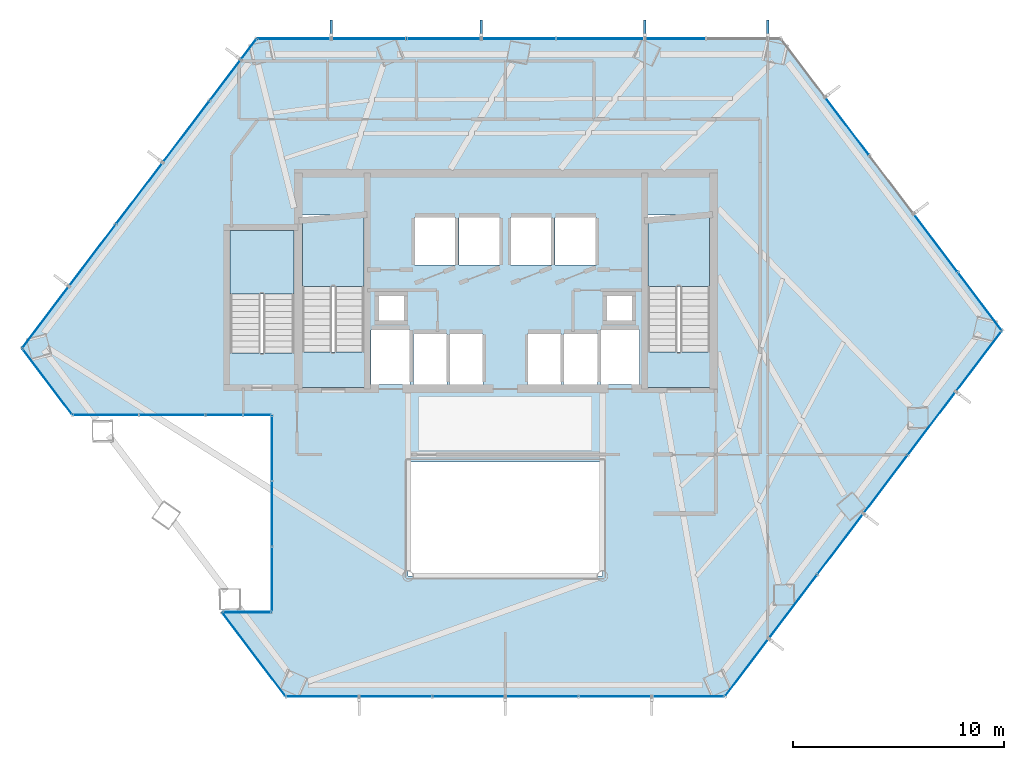
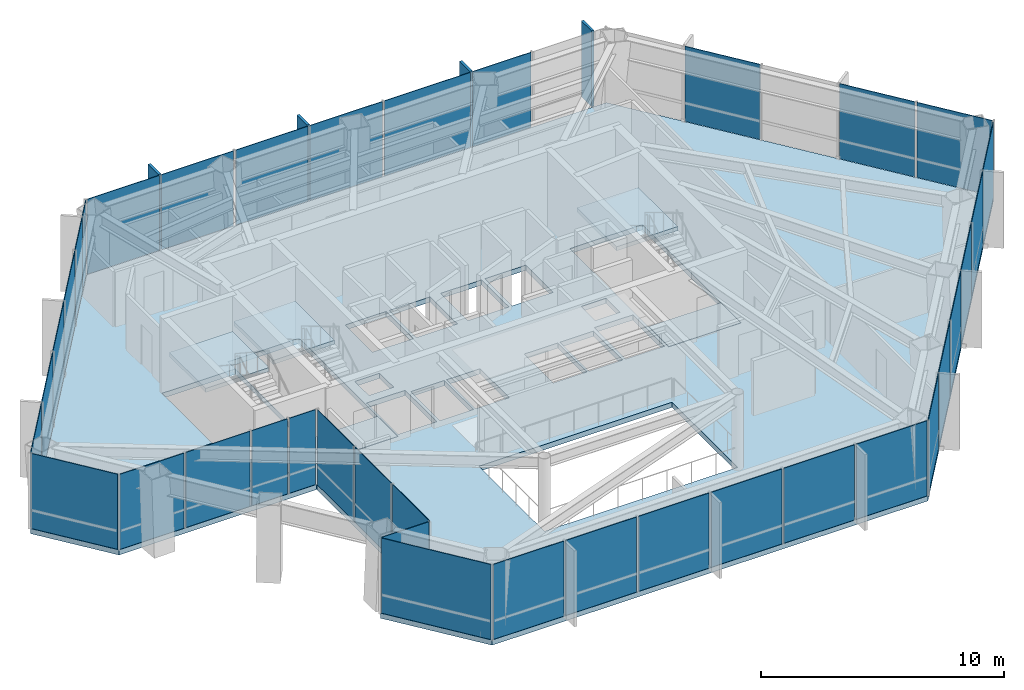
# One storey, part 20 of 24: 37 plates, 7 slabs, 4 members, 13 elements without a shape of their own.
"""IFC4 building model written with IfcOpenShell, lengths in metres."""

from ifc_helpers import new_model, si_unit, direction, frame, origin, origin_2d, place, context, subcontext, project, spatial, polyline, rectangle, outline, extrude, material, layer, layer_set, material_profile, profile_set, type_object, element, aggregate, save


model = new_model("IFC4")

# Units and contexts
model_context = context("Model", 3, precision=1e-05, world=origin(), true_north=direction((0.0, 1.0)))
body_context = subcontext(model_context, "Body", "Model", "MODEL_VIEW")
ifc_project = project(units=[si_unit("LENGTHUNIT", "METRE"), si_unit("AREAUNIT", "SQUARE_METRE"), si_unit("VOLUMEUNIT", "CUBIC_METRE"), si_unit("PLANEANGLEUNIT", "RADIAN"), si_unit("MASSUNIT", "GRAM", prefix="KILO")], contexts=[model_context])

# Site, building, storey
site_placement = place(None, origin())
site = spatial("IfcSite", under=ifc_project, at=site_placement, CompositionType="ELEMENT")
building_placement = place(site_placement, origin())
building = spatial("IfcBuilding", under=site, at=building_placement, Name="Zarrinselat Tower", CompositionType="ELEMENT")
storey_placement = place(building_placement, frame((0.0, 0.0, 68.340087890625)))
storey = spatial("IfcBuildingStorey", under=building, at=storey_placement, Name="L16", CompositionType="ELEMENT", Elevation=68.340087890625)

# Curtain wall, members
ifc_material_1 = material(Name="Extruded Aluminium Alloy EN AW-6063 T6", Category="aluminium")
ifc_layer_1 = layer(ifc_material_1, 0.18505859375)
ifc_layer_set_1 = layer_set([ifc_layer_1], Name="Extruded Aluminium Alloy EN AW-6063 T6")
curtain_wall_type_1 = type_object("IfcCurtainWallType", Name="CWS-OFF", PredefinedType="NOTDEFINED", material=ifc_layer_set_1)
curtain_wall_1_placement = place(storey_placement, origin())
curtain_wall_1 = element("IfcCurtainWall", 1, at=curtain_wall_1_placement, inside=storey, type_object=curtain_wall_type_1, Name="L16 Unitised Curtain Wall CW-L16-E02", PredefinedType="NOTDEFINED")
ifc_material_2 = material(Name="Honed Cream Travertine Stone", Category="masonry")
ifc_material_profile = material_profile(ifc_material_2, rectangle(XDim=0.1201171875, YDim=0.85009765625, at=origin_2d()), Name="FIN 850x120")
ifc_profile_set = profile_set([ifc_material_profile], Name="Honed Cream Travertine Stone")
member_type = type_object("IfcMemberType", Name="MEM-STONE-FIN", PredefinedType="USERDEFINED", material=ifc_profile_set)
member_1_placement = place(storey_placement, frame((30.177978515625, 50.27099609375, 0.0), z_axis=(0.0, 0.0, 1.0), x_axis=(1.0, 0.0, 0.0)))
member_1 = element("IfcMember", 2, at=member_1_placement, type_object=member_type, Name="L16 Stone Shading Fin CW-L16-E02-01", ObjectType="FIN", PredefinedType="USERDEFINED", context=body_context, shape_type="SweptSolid", body=[
    extrude(rectangle(XDim=0.1201171875, YDim=0.85009765625, at=origin_2d()), origin(), (0.0, 0.0, 1.0), 3.81982421875),
])
member_2_placement = place(storey_placement, frame((37.260498046875, 50.27099609375, 0.0), z_axis=(0.0, 0.0, 1.0), x_axis=(1.0, 0.0, 0.0)))
member_2 = element("IfcMember", 3, at=member_2_placement, type_object=member_type, Name="L16 Stone Shading Fin CW-L16-E02-03", ObjectType="FIN", PredefinedType="USERDEFINED", context=body_context, shape_type="SweptSolid", body=[
    extrude(rectangle(XDim=0.1201171875, YDim=0.85009765625, at=origin_2d()), origin(), (0.0, 0.0, 1.0), 3.81982421875),
])
member_3_placement = place(storey_placement, frame((45.0, 50.27099609375, 0.0), z_axis=(0.0, 0.0, 1.0), x_axis=(1.0, 0.0, 0.0)))
member_3 = element("IfcMember", 4, at=member_3_placement, type_object=member_type, Name="L16 Stone Shading Fin CW-L16-E02-05", ObjectType="FIN", PredefinedType="USERDEFINED", context=body_context, shape_type="SweptSolid", body=[
    extrude(rectangle(XDim=0.1201171875, YDim=0.85009765625, at=origin_2d()), origin(), (0.0, 0.0, 1.0), 3.81982421875),
])
member_4_placement = place(storey_placement, frame((50.800048828125, 50.27099609375, 0.0), z_axis=(0.0, 0.0, 1.0), x_axis=(1.0, 0.0, 0.0)))
member_4 = element("IfcMember", 5, at=member_4_placement, type_object=member_type, Name="L16 Stone Shading Fin CW-L16-E02-07", ObjectType="FIN", PredefinedType="USERDEFINED", context=body_context, shape_type="SweptSolid", body=[
    extrude(rectangle(XDim=0.1201171875, YDim=0.85009765625, at=origin_2d()), origin(), (0.0, 0.0, 1.0), 3.81982421875),
])

# Curtain wall, plates
curtain_wall_2_placement = place(storey_placement, origin())
curtain_wall_2 = element("IfcCurtainWall", 6, at=curtain_wall_2_placement, inside=storey, type_object=curtain_wall_type_1, Name="L16 Unitised Curtain Wall CW-L16-E01", PredefinedType="NOTDEFINED")
ifc_material_3 = material(Name="Double Low-E Laminated Solar Glass", Category="glass")
ifc_layer_2 = layer(ifc_material_3, 0.031982421875)
ifc_layer_set_2 = layer_set([ifc_layer_2], Name="Double Low-E Laminated Solar Glass")
plate_type = type_object("IfcPlateType", Name="PLT-CW-GL32", PredefinedType="CURTAIN_PANEL", material=ifc_layer_set_2)
plate_1_placement = place(storey_placement, frame((16.657470703125, 36.638427734375, 0.02001953125), z_axis=(0.0, 0.0, 1.0), x_axis=(0.603856639456, 0.797092942501, 0.0)))
plate_1 = element("IfcPlate", 7, at=plate_1_placement, type_object=plate_type, Name="CW-L16-E01 Vision Glass Panel 1", PredefinedType="CURTAIN_PANEL", context=body_context, shape_type="SweptSolid", body=[
    extrude(rectangle(XDim=3.572509765625, YDim=0.031982421875, at=origin_2d()), origin(), (0.0, 0.0, 1.0), 3.780029296875),
])
plate_2_placement = place(storey_placement, frame((18.875, 39.56591796875, 0.02001953125), z_axis=(0.0, 0.0, 1.0), x_axis=(0.603856639456, 0.797092942501, 0.0)))
plate_2 = element("IfcPlate", 8, at=plate_2_placement, type_object=plate_type, Name="CW-L16-E01 Vision Glass Panel 2", PredefinedType="CURTAIN_PANEL", context=body_context, shape_type="SweptSolid", body=[
    extrude(rectangle(XDim=3.572509765625, YDim=0.031982421875, at=origin_2d()), origin(), (0.0, 0.0, 1.0), 3.780029296875),
])
plate_3_placement = place(storey_placement, frame((21.092529296875, 42.492919921875, 0.02001953125), z_axis=(0.0, 0.0, 1.0), x_axis=(0.603856639456, 0.797092942501, 0.0)))
plate_3 = element("IfcPlate", 9, at=plate_3_placement, type_object=plate_type, Name="CW-L16-E01 Vision Glass Panel 3", PredefinedType="CURTAIN_PANEL", context=body_context, shape_type="SweptSolid", body=[
    extrude(rectangle(XDim=3.572509765625, YDim=0.031982421875, at=origin_2d()), origin(), (0.0, 0.0, 1.0), 3.780029296875),
])
plate_4_placement = place(storey_placement, frame((23.310302734375, 45.420166015625, 0.02001953125), z_axis=(0.0, 0.0, 1.0), x_axis=(0.603856639456, 0.797092942501, 0.0)))
plate_4 = element("IfcPlate", 10, at=plate_4_placement, type_object=plate_type, Name="CW-L16-E01 Vision Glass Panel 4", PredefinedType="CURTAIN_PANEL", context=body_context, shape_type="SweptSolid", body=[
    extrude(rectangle(XDim=3.572509765625, YDim=0.031982421875, at=origin_2d()), origin(), (0.0, 0.0, 1.0), 3.780029296875),
])
plate_5_placement = place(storey_placement, frame((25.153564453125, 47.853515625, 0.02001953125), z_axis=(0.0, 0.0, 1.0), x_axis=(0.603856639456, 0.797092942501, 0.0)))
plate_5 = element("IfcPlate", 11, at=plate_5_placement, type_object=plate_type, Name="CW-L16-E01 Vision Glass Panel 5", PredefinedType="CURTAIN_PANEL", context=body_context, shape_type="SweptSolid", body=[
    extrude(rectangle(XDim=2.3330078125, YDim=0.031982421875, at=origin_2d()), origin(), (0.0, 0.0, 1.0), 3.780029296875),
])
plate_6_placement = place(storey_placement, frame((26.262451171875, 49.317138671875, 0.02001953125), z_axis=(0.0, 0.0, 1.0), x_axis=(0.603856639456, 0.797092942501, 0.0)))
plate_6 = element("IfcPlate", 12, at=plate_6_placement, type_object=plate_type, Name="CW-L16-E01 Vision Glass Panel 6", PredefinedType="CURTAIN_PANEL", context=body_context, shape_type="SweptSolid", body=[
    extrude(rectangle(XDim=1.139404296875, YDim=0.031982421875, at=origin_2d()), origin(), (0.0, 0.0, 1.0), 3.780029296875),
])
aggregate(curtain_wall_2, [plate_1, plate_2, plate_3, plate_4, plate_5, plate_6])

# Plate
plate_7_placement = place(storey_placement, frame((28.4072265625, 49.81103515625, 0.02001953125), z_axis=(0.0, 0.0, 1.0), x_axis=(1.0, 0.0, 0.0)))
plate_7 = element("IfcPlate", 13, at=plate_7_placement, type_object=plate_type, Name="CW-L16-E02 Vision Glass Panel 1", PredefinedType="CURTAIN_PANEL", context=body_context, shape_type="SweptSolid", body=[
    extrude(rectangle(XDim=3.44140625, YDim=0.031982421875, at=origin_2d()), origin(), (0.0, 0.0, 1.0), 3.780029296875),
])

plate_8_placement = place(storey_placement, frame((31.948486328125, 49.81103515625, 0.02001953125), z_axis=(0.0, 0.0, 1.0), x_axis=(1.0, 0.0, 0.0)))
plate_8 = element("IfcPlate", 14, at=plate_8_placement, type_object=plate_type, Name="CW-L16-E02 Vision Glass Panel 2", PredefinedType="CURTAIN_PANEL", context=body_context, shape_type="SweptSolid", body=[
    extrude(rectangle(XDim=3.44140625, YDim=0.031982421875, at=origin_2d()), origin(), (0.0, 0.0, 1.0), 3.780029296875),
])

plate_9_placement = place(storey_placement, frame((35.489990234375, 49.81103515625, 0.02001953125), z_axis=(0.0, 0.0, 1.0), x_axis=(1.0, 0.0, 0.0)))
plate_9 = element("IfcPlate", 15, at=plate_9_placement, type_object=plate_type, Name="CW-L16-E02 Vision Glass Panel 3", PredefinedType="CURTAIN_PANEL", context=body_context, shape_type="SweptSolid", body=[
    extrude(rectangle(XDim=3.44140625, YDim=0.031982421875, at=origin_2d()), origin(), (0.0, 0.0, 1.0), 3.780029296875),
])

plate_10_placement = place(storey_placement, frame((39.03125, 49.81103515625, 0.02001953125), z_axis=(0.0, 0.0, 1.0), x_axis=(1.0, 0.0, 0.0)))
plate_10 = element("IfcPlate", 16, at=plate_10_placement, type_object=plate_type, Name="CW-L16-E02 Vision Glass Panel 4", PredefinedType="CURTAIN_PANEL", context=body_context, shape_type="SweptSolid", body=[
    extrude(rectangle(XDim=3.44140625, YDim=0.031982421875, at=origin_2d()), origin(), (0.0, 0.0, 1.0), 3.780029296875),
])

plate_11_placement = place(storey_placement, frame((42.90087890625, 49.81103515625, 0.02001953125), z_axis=(0.0, 0.0, 1.0), x_axis=(1.0, 0.0, 0.0)))
plate_11 = element("IfcPlate", 17, at=plate_11_placement, type_object=plate_type, Name="CW-L16-E02 Vision Glass Panel 5", PredefinedType="CURTAIN_PANEL", context=body_context, shape_type="SweptSolid", body=[
    extrude(rectangle(XDim=4.09814453125, YDim=0.031982421875, at=origin_2d()), origin(), (0.0, 0.0, 1.0), 3.780029296875),
])

plate_12_placement = place(storey_placement, frame((46.4423828125, 49.81103515625, 0.02001953125), z_axis=(0.0, 0.0, 1.0), x_axis=(1.0, 0.0, 0.0)))
plate_12 = element("IfcPlate", 18, at=plate_12_placement, type_object=plate_type, Name="CW-L16-E02 Vision Glass Panel 6", PredefinedType="CURTAIN_PANEL", context=body_context, shape_type="SweptSolid", body=[
    extrude(rectangle(XDim=2.78466796875, YDim=0.031982421875, at=origin_2d()), origin(), (0.0, 0.0, 1.0), 3.780029296875),
])

aggregate(curtain_wall_1, [member_1, member_2, member_3, member_4, plate_7, plate_8, plate_9, plate_10, plate_11, plate_12])

# Curtain wall, plates
curtain_wall_3_placement = place(storey_placement, origin())
curtain_wall_3 = element("IfcCurtainWall", 19, at=curtain_wall_3_placement, inside=storey, type_object=curtain_wall_type_1, Name="L16 Unitised Curtain Wall CW-L16-E03", PredefinedType="NOTDEFINED")
plate_13_placement = place(storey_placement, frame((54.56298828125, 45.670166015625, 0.02001953125), z_axis=(0.0, 0.0, 1.0), x_axis=(0.603859800485, -0.797090547779, 0.0)))
plate_13 = element("IfcPlate", 20, at=plate_13_placement, type_object=plate_type, Name="CW-L16-E03 Vision Glass Panel 2", PredefinedType="CURTAIN_PANEL", context=body_context, shape_type="SweptSolid", body=[
    extrude(rectangle(XDim=3.36328125, YDim=0.031982421875, at=origin_2d()), origin(), (0.0, 0.0, 1.0), 3.780029296875),
])
plate_14_placement = place(storey_placement, frame((58.74560546875, 40.149169921875, 0.02001953125), z_axis=(0.0, 0.0, 1.0), x_axis=(0.603859800485, -0.797090547779, 0.0)))
plate_14 = element("IfcPlate", 21, at=plate_14_placement, type_object=plate_type, Name="CW-L16-E03 Vision Glass Panel 4", PredefinedType="CURTAIN_PANEL", context=body_context, shape_type="SweptSolid", body=[
    extrude(rectangle(XDim=3.36328125, YDim=0.031982421875, at=origin_2d()), origin(), (0.0, 0.0, 1.0), 3.780029296875),
])
plate_15_placement = place(storey_placement, frame((60.8369140625, 37.388427734375, 0.02001953125), z_axis=(0.0, 0.0, 1.0), x_axis=(0.603859800485, -0.797090547779, 0.0)))
plate_15 = element("IfcPlate", 22, at=plate_15_placement, type_object=plate_type, Name="CW-L16-E03 Vision Glass Panel 5", PredefinedType="CURTAIN_PANEL", context=body_context, shape_type="SweptSolid", body=[
    extrude(rectangle(XDim=3.36328125, YDim=0.031982421875, at=origin_2d()), origin(), (0.0, 0.0, 1.0), 3.780029296875),
])
aggregate(curtain_wall_3, [plate_13, plate_14, plate_15])

curtain_wall_4_placement = place(storey_placement, origin())
curtain_wall_4 = element("IfcCurtainWall", 23, at=curtain_wall_4_placement, inside=storey, type_object=curtain_wall_type_1, Name="L16 Unitised Curtain Wall CW-L16-E04", PredefinedType="NOTDEFINED")
plate_16_placement = place(storey_placement, frame((60.790283203125, 34.56640625, 0.02001953125), z_axis=(0.0, 0.0, 1.0), x_axis=(-0.603859195889, -0.797091005808, 0.0)))
plate_16 = element("IfcPlate", 24, at=plate_16_placement, type_object=plate_type, Name="CW-L16-E04 Vision Glass Panel 1", PredefinedType="CURTAIN_PANEL", context=body_context, shape_type="SweptSolid", body=[
    extrude(rectangle(XDim=3.517578125, YDim=0.031982421875, at=origin_2d()), origin(), (0.0, 0.0, 1.0), 3.780029296875),
])
plate_17_placement = place(storey_placement, frame((58.5576171875, 31.619140625, 0.02001953125), z_axis=(0.0, 0.0, 1.0), x_axis=(-0.603859195889, -0.797091005808, 0.0)))
plate_17 = element("IfcPlate", 25, at=plate_17_placement, type_object=plate_type, Name="CW-L16-E04 Vision Glass Panel 2", PredefinedType="CURTAIN_PANEL", context=body_context, shape_type="SweptSolid", body=[
    extrude(rectangle(XDim=3.67724609375, YDim=0.031982421875, at=origin_2d()), origin(), (0.0, 0.0, 1.0), 3.780029296875),
])
plate_18_placement = place(storey_placement, frame((56.373046875, 28.735595703125, 0.02001953125), z_axis=(0.0, 0.0, 1.0), x_axis=(-0.603859195889, -0.797091005808, 0.0)))
plate_18 = element("IfcPlate", 26, at=plate_18_placement, type_object=plate_type, Name="CW-L16-E04 Vision Glass Panel 3", PredefinedType="CURTAIN_PANEL", context=body_context, shape_type="SweptSolid", body=[
    extrude(rectangle(XDim=3.358154296875, YDim=0.031982421875, at=origin_2d()), origin(), (0.0, 0.0, 1.0), 3.780029296875),
])
plate_19_placement = place(storey_placement, frame((54.23681640625, 25.91552734375, 0.02001953125), z_axis=(0.0, 0.0, 1.0), x_axis=(-0.603859195889, -0.797091005808, 0.0)))
plate_19 = element("IfcPlate", 27, at=plate_19_placement, type_object=plate_type, Name="CW-L16-E04 Vision Glass Panel 4", PredefinedType="CURTAIN_PANEL", context=body_context, shape_type="SweptSolid", body=[
    extrude(rectangle(XDim=3.517578125, YDim=0.031982421875, at=origin_2d()), origin(), (0.0, 0.0, 1.0), 3.780029296875),
])
plate_20_placement = place(storey_placement, frame((51.99609375, 22.9580078125, 0.02001953125), z_axis=(0.0, 0.0, 1.0), x_axis=(-0.603859195889, -0.797091005808, 0.0)))
plate_20 = element("IfcPlate", 28, at=plate_20_placement, type_object=plate_type, Name="CW-L16-E04 Vision Glass Panel 5", PredefinedType="CURTAIN_PANEL", context=body_context, shape_type="SweptSolid", body=[
    extrude(rectangle(XDim=3.703125, YDim=0.031982421875, at=origin_2d()), origin(), (0.0, 0.0, 1.0), 3.780029296875),
])
plate_21_placement = place(storey_placement, frame((49.8115234375, 20.074462890625, 0.02001953125), z_axis=(0.0, 0.0, 1.0), x_axis=(-0.603859195889, -0.797091005808, 0.0)))
plate_21 = element("IfcPlate", 29, at=plate_21_placement, type_object=plate_type, Name="CW-L16-E04 Vision Glass Panel 6", PredefinedType="CURTAIN_PANEL", context=body_context, shape_type="SweptSolid", body=[
    extrude(rectangle(XDim=3.332275390625, YDim=0.031982421875, at=origin_2d()), origin(), (0.0, 0.0, 1.0), 3.780029296875),
])
aggregate(curtain_wall_4, [plate_16, plate_17, plate_18, plate_19, plate_20, plate_21])

curtain_wall_5_placement = place(storey_placement, origin())
curtain_wall_5 = element("IfcCurtainWall", 30, at=curtain_wall_5_placement, inside=storey, type_object=curtain_wall_type_1, Name="L16 Unitised Curtain Wall CW-L16-E05", PredefinedType="NOTDEFINED")
plate_22_placement = place(storey_placement, frame((47.046142578125, 18.70654296875, 0.02001953125), z_axis=(0.0, 0.0, 1.0), x_axis=(-1.0, 0.0, 0.0)))
plate_22 = element("IfcPlate", 31, at=plate_22_placement, type_object=plate_type, Name="CW-L16-E05 Vision Glass Panel 1", PredefinedType="CURTAIN_PANEL", context=body_context, shape_type="SweptSolid", body=[
    extrude(rectangle(XDim=3.3583984375, YDim=0.031982421875, at=origin_2d()), origin(), (0.0, 0.0, 1.0), 3.780029296875),
])
plate_23_placement = place(storey_placement, frame((43.587646484375, 18.70654296875, 0.02001953125), z_axis=(0.0, 0.0, 1.0), x_axis=(-1.0, 0.0, 0.0)))
plate_23 = element("IfcPlate", 32, at=plate_23_placement, type_object=plate_type, Name="CW-L16-E05 Vision Glass Panel 2", PredefinedType="CURTAIN_PANEL", context=body_context, shape_type="SweptSolid", body=[
    extrude(rectangle(XDim=3.3583984375, YDim=0.031982421875, at=origin_2d()), origin(), (0.0, 0.0, 1.0), 3.780029296875),
])
plate_24_placement = place(storey_placement, frame((40.129150390625, 18.70654296875, 0.02001953125), z_axis=(0.0, 0.0, 1.0), x_axis=(-1.0, 0.0, 0.0)))
plate_24 = element("IfcPlate", 33, at=plate_24_placement, type_object=plate_type, Name="CW-L16-E05 Vision Glass Panel 3", PredefinedType="CURTAIN_PANEL", context=body_context, shape_type="SweptSolid", body=[
    extrude(rectangle(XDim=3.3583984375, YDim=0.031982421875, at=origin_2d()), origin(), (0.0, 0.0, 1.0), 3.780029296875),
])
plate_25_placement = place(storey_placement, frame((36.6708984375, 18.70654296875, 0.02001953125), z_axis=(0.0, 0.0, 1.0), x_axis=(-1.0, 0.0, 0.0)))
plate_25 = element("IfcPlate", 34, at=plate_25_placement, type_object=plate_type, Name="CW-L16-E05 Vision Glass Panel 4", PredefinedType="CURTAIN_PANEL", context=body_context, shape_type="SweptSolid", body=[
    extrude(rectangle(XDim=3.3583984375, YDim=0.031982421875, at=origin_2d()), origin(), (0.0, 0.0, 1.0), 3.780029296875),
])
plate_26_placement = place(storey_placement, frame((33.21240234375, 18.70654296875, 0.02001953125), z_axis=(0.0, 0.0, 1.0), x_axis=(-1.0, 0.0, 0.0)))
plate_26 = element("IfcPlate", 35, at=plate_26_placement, type_object=plate_type, Name="CW-L16-E05 Vision Glass Panel 5", PredefinedType="CURTAIN_PANEL", context=body_context, shape_type="SweptSolid", body=[
    extrude(rectangle(XDim=3.3583984375, YDim=0.031982421875, at=origin_2d()), origin(), (0.0, 0.0, 1.0), 3.780029296875),
])
plate_27_placement = place(storey_placement, frame((29.75390625, 18.70654296875, 0.02001953125), z_axis=(0.0, 0.0, 1.0), x_axis=(-1.0, 0.0, 0.0)))
plate_27 = element("IfcPlate", 36, at=plate_27_placement, type_object=plate_type, Name="CW-L16-E05 Vision Glass Panel 6", PredefinedType="CURTAIN_PANEL", context=body_context, shape_type="SweptSolid", body=[
    extrude(rectangle(XDim=3.3583984375, YDim=0.031982421875, at=origin_2d()), origin(), (0.0, 0.0, 1.0), 3.780029296875),
])
aggregate(curtain_wall_5, [plate_22, plate_23, plate_24, plate_25, plate_26, plate_27])

# Curtain wall, plate
curtain_wall_6_placement = place(storey_placement, origin())
curtain_wall_6 = element("IfcCurtainWall", 37, at=curtain_wall_6_placement, inside=storey, type_object=curtain_wall_type_1, Name="L16 Unitised Curtain Wall CW-L16-E06", PredefinedType="NOTDEFINED")
plate_28_placement = place(storey_placement, frame((26.51513671875, 20.698974609375, 0.02001953125), z_axis=(0.0, 0.0, 1.0), x_axis=(-0.603858899441, 0.797091230391, 0.0)))
plate_28 = element("IfcPlate", 38, at=plate_28_placement, type_object=plate_type, Name="CW-L16-E06 Vision Glass Panel 1", PredefinedType="CURTAIN_PANEL", context=body_context, shape_type="SweptSolid", body=[
    extrude(rectangle(XDim=4.8994140625, YDim=0.031982421875, at=origin_2d()), origin(), (0.0, 0.0, 1.0), 3.780029296875),
])
aggregate(curtain_wall_6, [plate_28])

ifc_material_4 = material(Name="Extruded Aluminium Alloy EN AW-6063 T6", Category="aluminium")
ifc_layer_3 = layer(ifc_material_4, 0.18994140625)
ifc_layer_set_3 = layer_set([ifc_layer_3], Name="Extruded Aluminium Alloy EN AW-6063 T6")
curtain_wall_type_2 = type_object("IfcCurtainWallType", Name="CWS-SG", PredefinedType="NOTDEFINED", material=ifc_layer_set_3)
curtain_wall_7_placement = place(storey_placement, origin())
curtain_wall_7 = element("IfcCurtainWall", 39, at=curtain_wall_7_placement, inside=storey, type_object=curtain_wall_type_2, Name="L16 Unitised Curtain Wall CW-L16-E07", PredefinedType="NOTDEFINED")
plate_29_placement = place(storey_placement, frame((26.17724609375, 22.69140625, 0.02001953125), z_axis=(0.0, 0.0, 1.0), x_axis=(1.0, 0.0, 0.0)))
plate_29 = element("IfcPlate", 40, at=plate_29_placement, type_object=plate_type, Name="CW-L16-E07 Vision Glass Panel 1", PredefinedType="CURTAIN_PANEL", context=body_context, shape_type="SweptSolid", body=[
    extrude(rectangle(XDim=2.242919921875, YDim=0.031982421875, at=origin_2d()), origin(), (0.0, 0.0, 1.0), 3.780029296875),
])
aggregate(curtain_wall_7, [plate_29])

# Curtain wall, plates
curtain_wall_8_placement = place(storey_placement, origin())
curtain_wall_8 = element("IfcCurtainWall", 41, at=curtain_wall_8_placement, inside=storey, type_object=curtain_wall_type_2, Name="L16 Unitised Curtain Wall CW-L16-E24", PredefinedType="NOTDEFINED")
plate_30_placement = place(storey_placement, frame((27.363525390625, 24.25537109375, 0.02001953125), z_axis=(0.0, 0.0, 1.0), x_axis=(0.0, 1.0, 0.0)))
plate_30 = element("IfcPlate", 42, at=plate_30_placement, type_object=plate_type, Name="CW-L16-E24 Vision Glass Panel 1", PredefinedType="CURTAIN_PANEL", context=body_context, shape_type="SweptSolid", body=[
    extrude(rectangle(XDim=2.997802734375, YDim=0.031982421875, at=origin_2d()), origin(), (0.0, 0.0, 1.0), 3.780029296875),
])
plate_31_placement = place(storey_placement, frame((27.363525390625, 27.353271484375, 0.02001953125), z_axis=(0.0, 0.0, 1.0), x_axis=(0.0, 1.0, 0.0)))
plate_31 = element("IfcPlate", 43, at=plate_31_placement, type_object=plate_type, Name="CW-L16-E24 Vision Glass Panel 2", PredefinedType="CURTAIN_PANEL", context=body_context, shape_type="SweptSolid", body=[
    extrude(rectangle(XDim=2.997802734375, YDim=0.031982421875, at=origin_2d()), origin(), (0.0, 0.0, 1.0), 3.780029296875),
])
plate_32_placement = place(storey_placement, frame((27.363525390625, 30.451171875, 0.02001953125), z_axis=(0.0, 0.0, 1.0), x_axis=(0.0, 1.0, 0.0)))
plate_32 = element("IfcPlate", 44, at=plate_32_placement, type_object=plate_type, Name="CW-L16-E24 Vision Glass Panel 3", PredefinedType="CURTAIN_PANEL", context=body_context, shape_type="SweptSolid", body=[
    extrude(rectangle(XDim=2.997802734375, YDim=0.031982421875, at=origin_2d()), origin(), (0.0, 0.0, 1.0), 3.780029296875),
])
aggregate(curtain_wall_8, [plate_30, plate_31, plate_32])

curtain_wall_9_placement = place(storey_placement, origin())
curtain_wall_9 = element("IfcCurtainWall", 45, at=curtain_wall_9_placement, inside=storey, type_object=curtain_wall_type_2, Name="L16 Unitised Curtain Wall CW-L16-E41", PredefinedType="NOTDEFINED")
plate_33_placement = place(storey_placement, frame((26.67431640625, 32.014892578125, 0.02001953125), z_axis=(0.0, 0.0, 1.0), x_axis=(-1.0, 0.0, 0.0)))
plate_33 = element("IfcPlate", 46, at=plate_33_placement, type_object=plate_type, Name="CW-L16-E41 Vision Glass Panel 1", PredefinedType="CURTAIN_PANEL", context=body_context, shape_type="SweptSolid", body=[
    extrude(rectangle(XDim=1.24853515625, YDim=0.031982421875, at=origin_2d()), origin(), (0.0, 0.0, 1.0), 3.780029296875),
])
plate_34_placement = place(storey_placement, frame((25.106689453125, 32.014892578125, 0.02001953125), z_axis=(0.0, 0.0, 1.0), x_axis=(-1.0, 0.0, 0.0)))
plate_34 = element("IfcPlate", 47, at=plate_34_placement, type_object=plate_type, Name="CW-L16-E41 Vision Glass Panel 2", PredefinedType="CURTAIN_PANEL", context=body_context, shape_type="SweptSolid", body=[
    extrude(rectangle(XDim=1.686767578125, YDim=0.031982421875, at=origin_2d()), origin(), (0.0, 0.0, 1.0), 3.780029296875),
])
plate_35_placement = place(storey_placement, frame((22.6455078125, 32.014892578125, 0.02001953125), z_axis=(0.0, 0.0, 1.0), x_axis=(-1.0, 0.0, 0.0)))
plate_35 = element("IfcPlate", 48, at=plate_35_placement, type_object=plate_type, Name="CW-L16-E41 Vision Glass Panel 3", PredefinedType="CURTAIN_PANEL", context=body_context, shape_type="SweptSolid", body=[
    extrude(rectangle(XDim=3.035400390625, YDim=0.031982421875, at=origin_2d()), origin(), (0.0, 0.0, 1.0), 3.780029296875),
])
plate_36_placement = place(storey_placement, frame((19.51025390625, 32.014892578125, 0.02001953125), z_axis=(0.0, 0.0, 1.0), x_axis=(-1.0, 0.0, 0.0)))
plate_36 = element("IfcPlate", 49, at=plate_36_placement, type_object=plate_type, Name="CW-L16-E41 Vision Glass Panel 4", PredefinedType="CURTAIN_PANEL", context=body_context, shape_type="SweptSolid", body=[
    extrude(rectangle(XDim=3.035400390625, YDim=0.031982421875, at=origin_2d()), origin(), (0.0, 0.0, 1.0), 3.780029296875),
])
aggregate(curtain_wall_9, [plate_33, plate_34, plate_35, plate_36])

# Curtain wall, plate
curtain_wall_10_placement = place(storey_placement, origin())
curtain_wall_10 = element("IfcCurtainWall", 50, at=curtain_wall_10_placement, inside=storey, type_object=curtain_wall_type_1, Name="L16 Unitised Curtain Wall CW-L16-E42", PredefinedType="NOTDEFINED")
plate_37_placement = place(storey_placement, frame((16.74560546875, 33.594970703125, 0.02001953125), z_axis=(0.0, 0.0, 1.0), x_axis=(-0.603858899441, 0.797091230391, 0.0)))
plate_37 = element("IfcPlate", 51, at=plate_37_placement, type_object=plate_type, Name="CW-L16-E42 Vision Glass Panel 1", PredefinedType="CURTAIN_PANEL", context=body_context, shape_type="SweptSolid", body=[
    extrude(rectangle(XDim=3.8642578125, YDim=0.031982421875, at=origin_2d()), origin(), (0.0, 0.0, 1.0), 3.780029296875),
])
aggregate(curtain_wall_10, [plate_37])

# Slabs
ifc_material_5 = material(Name="Concrete C40/50", Category="concrete")
ifc_layer_4 = layer(ifc_material_5, 0.260009765625)
ifc_layer_set_4 = layer_set([ifc_layer_4], Name="Concrete C40/50")
slab_type_1 = type_object("IfcSlabType", Name="SLB-FLOOR-260-SL-OF260", PredefinedType="FLOOR", material=ifc_layer_set_4)
slab_1_placement = place(storey_placement, frame((0.0, 0.0, -0.260009765625)))
element("IfcSlab", 52, at=slab_1_placement, inside=storey, type_object=slab_type_1, Name="L16 Primary Structural Slab", PredefinedType="FLOOR", context=body_context, shape_type="SweptSolid", body=[
    extrude(outline(polyline([(15.548583984375, 35.1748046875), (26.63671875, 49.81103515625), (51.42578125, 49.81103515625), (61.8828125, 36.00830078125), (48.775390625, 18.70654296875), (28.024658203125, 18.70654296875), (25.005859375, 22.69140625), (27.3486328125, 22.69140625), (27.35009765625, 22.691650390625), (27.3515625, 22.69189453125), (27.35302734375, 22.692138671875), (27.354248046875, 22.692626953125), (27.355712890625, 22.693359375), (27.35693359375, 22.694091796875), (27.358154296875, 22.69482421875), (27.359130859375, 22.69580078125), (27.360107421875, 22.697021484375), (27.361083984375, 22.6982421875), (27.36181640625, 22.699462890625), (27.362548828125, 22.70068359375), (27.363037109375, 22.7021484375), (27.36328125, 22.70361328125), (27.363525390625, 22.705078125), (27.363525390625, 22.70654296875), (27.363525390625, 32.0), (27.363525390625, 32.00146484375), (27.36328125, 32.0029296875), (27.363037109375, 32.00439453125), (27.362548828125, 32.005615234375), (27.36181640625, 32.007080078125), (27.361083984375, 32.00830078125), (27.360107421875, 32.009521484375), (27.359130859375, 32.010498046875), (27.358154296875, 32.01171875), (27.35693359375, 32.012451171875), (27.355712890625, 32.01318359375), (27.354248046875, 32.013916015625), (27.35302734375, 32.014404296875), (27.3515625, 32.0146484375), (27.35009765625, 32.014892578125), (27.3486328125, 32.014892578125), (17.9423828125, 32.014892578125), (15.548583984375, 35.1748046875)]), holes=[polyline([(34.050048828125, 33.449951171875), (34.050048828125, 35.85009765625), (35.64990234375, 35.85009765625), (35.64990234375, 33.449951171875), (34.050048828125, 33.449951171875)]), polyline([(35.75, 33.449951171875), (35.75, 35.85009765625), (37.35009765625, 35.85009765625), (37.35009765625, 33.449951171875), (35.75, 33.449951171875)]), polyline([(32.06005859375, 33.449951171875), (32.06005859375, 36.050048828125), (33.89990234375, 36.050048828125), (33.89990234375, 33.449951171875), (32.06005859375, 33.449951171875)]), polyline([(32.419921875, 36.47998046875), (32.419921875, 37.639892578125), (33.60009765625, 37.639892578125), (33.60009765625, 36.47998046875), (32.419921875, 36.47998046875)]), polyline([(28.594970703125, 33.324951171875), (25.114990234375, 33.324951171875), (25.114990234375, 40.875), (28.594970703125, 40.875), (28.594970703125, 33.324951171875)]), polyline([(31.985107421875, 33.324951171875), (28.60498046875, 33.324951171875), (28.60498046875, 41.47509765625), (31.985107421875, 41.47509765625), (31.985107421875, 33.324951171875)]), polyline([(34.10009765625, 39.10009765625), (34.10009765625, 41.35009765625), (36.050048828125, 41.35009765625), (36.050048828125, 39.10009765625), (34.10009765625, 39.10009765625)]), polyline([(36.199951171875, 39.10009765625), (36.199951171875, 41.35009765625), (38.14990234375, 41.35009765625), (38.14990234375, 39.10009765625), (36.199951171875, 39.10009765625)]), polyline([(33.800048828125, 24.39990234375), (33.800048828125, 29.800048828125), (43.0, 29.800048828125), (43.0, 24.39990234375), (33.800048828125, 24.39990234375)]), polyline([(39.449951171875, 33.449951171875), (39.449951171875, 35.85009765625), (41.050048828125, 35.85009765625), (41.050048828125, 33.449951171875), (39.449951171875, 33.449951171875)]), polyline([(41.14990234375, 33.449951171875), (41.14990234375, 35.85009765625), (42.75, 35.85009765625), (42.75, 33.449951171875), (41.14990234375, 33.449951171875)]), polyline([(42.89990234375, 33.449951171875), (42.89990234375, 36.050048828125), (44.739990234375, 36.050048828125), (44.739990234375, 33.449951171875), (42.89990234375, 33.449951171875)]), polyline([(43.199951171875, 36.47998046875), (43.199951171875, 37.639892578125), (44.3798828125, 37.639892578125), (44.3798828125, 36.47998046875), (43.199951171875, 36.47998046875)]), polyline([(48.324951171875, 33.324951171875), (44.875, 33.324951171875), (44.875, 41.47509765625), (48.324951171875, 41.47509765625), (48.324951171875, 33.324951171875)]), polyline([(38.64990234375, 39.10009765625), (38.64990234375, 41.35009765625), (40.60009765625, 41.35009765625), (40.60009765625, 39.10009765625), (38.64990234375, 39.10009765625)]), polyline([(40.75, 39.10009765625), (40.75, 41.35009765625), (42.699951171875, 41.35009765625), (42.699951171875, 39.10009765625), (40.75, 39.10009765625)])]), origin(), (0.0, 0.0, 1.0), 0.260009765625),
])
slab_2_placement = place(storey_placement, frame((0.0, 0.0, -0.260009765625)))
element("IfcSlab", 53, at=slab_2_placement, inside=storey, type_object=slab_type_1, Name="L16 Stair ST-1-FL1 Structural Floor Landing", PredefinedType="FLOOR", context=body_context, shape_type="SweptSolid", body=[
    extrude(outline(polyline([(31.97998046875, 33.330078125), (31.97998046875, 35.0), (28.610107421875, 35.0), (28.610107421875, 33.330078125), (31.97998046875, 33.330078125)])), origin(), (0.0, 0.0, 1.0), 0.260009765625),
])
slab_3_placement = place(storey_placement, frame((0.0, 0.0, -0.260009765625)))
element("IfcSlab", 54, at=slab_3_placement, inside=storey, type_object=slab_type_1, Name="L16 Stair ST-2-FL1 Structural Floor Landing", PredefinedType="FLOOR", context=body_context, shape_type="SweptSolid", body=[
    extrude(outline(polyline([(48.320068359375, 33.330078125), (48.320068359375, 35.0), (44.8798828125, 35.0), (44.8798828125, 33.330078125), (48.320068359375, 33.330078125)])), origin(), (0.0, 0.0, 1.0), 0.260009765625),
])
slab_4_placement = place(storey_placement, frame((0.0, 0.0, -0.260009765625)))
element("IfcSlab", 55, at=slab_4_placement, inside=storey, type_object=slab_type_1, Name="L16 Stair ST-3-FL1 Structural Floor Landing", PredefinedType="FLOOR", context=body_context, shape_type="SweptSolid", body=[
    extrude(outline(polyline([(28.590087890625, 33.330078125), (28.590087890625, 34.949951171875), (25.1201171875, 34.949951171875), (25.1201171875, 33.330078125), (28.590087890625, 33.330078125)])), origin(), (0.0, 0.0, 1.0), 0.260009765625),
])

# Stair, slab
ifc_material_6 = material(Name="Concrete C40/50", Category="concrete")
stair_type_1 = type_object("IfcStairType", Name="STR-CORE-145", PredefinedType="HALF_TURN_STAIR", material=ifc_material_6)
stair_1_placement = place(storey_placement, origin())
stair_1 = element("IfcStair", 56, at=stair_1_placement, inside=storey, type_object=stair_type_1, Name="L16 Podium & Mid-Tower Exit Stair 3", PredefinedType="HALF_TURN_STAIR")
ifc_material_7 = material(Name="Concrete C40/50", Category="concrete")
ifc_layer_5 = layer(ifc_material_7, 0.1650390625)
ifc_layer_set_5 = layer_set([ifc_layer_5], Name="Concrete C40/50")
slab_type_2 = type_object("IfcSlabType", Name="SLB-LND-165", PredefinedType="LANDING", material=ifc_layer_set_5)
slab_5_placement = place(storey_placement, frame((0.0, 0.0, 1.83984375)))
slab_5 = element("IfcSlab", 57, at=slab_5_placement, type_object=slab_type_2, Name="ST-3 landing 1", PredefinedType="LANDING", context=body_context, shape_type="SweptSolid", body=[
    extrude(outline(polyline([(28.39990234375, 37.75), (28.39990234375, 40.75), (25.3798828125, 40.75), (25.3798828125, 37.75), (28.39990234375, 37.75)])), origin(), (0.0, 0.0, 1.0), 0.199951171875),
])
aggregate(stair_1, [slab_5])

ifc_material_8 = material(Name="Concrete C40/50", Category="concrete")
stair_type_2 = type_object("IfcStairType", Name="STR-CORE-155", PredefinedType="HALF_TURN_STAIR", material=ifc_material_8)
stair_2_placement = place(storey_placement, origin())
stair_2 = element("IfcStair", 58, at=stair_2_placement, inside=storey, type_object=stair_type_2, Name="L16 Core Exit Stair 1", PredefinedType="HALF_TURN_STAIR")
ifc_material_9 = material(Name="Concrete C40/50", Category="concrete")
ifc_layer_6 = layer(ifc_material_9, 0.18994140625)
ifc_layer_set_6 = layer_set([ifc_layer_6], Name="Concrete C40/50")
slab_type_3 = type_object("IfcSlabType", Name="SLB-LND-190", PredefinedType="LANDING", material=ifc_layer_set_6)
slab_6_placement = place(storey_placement, frame((0.0, 0.0, 1.83984375)))
slab_6 = element("IfcSlab", 59, at=slab_6_placement, type_object=slab_type_3, Name="ST-1 landing 1", PredefinedType="LANDING", context=body_context, shape_type="SweptSolid", body=[
    extrude(outline(polyline([(31.719970703125, 38.10009765625), (31.719970703125, 41.35009765625), (28.800048828125, 41.35009765625), (28.800048828125, 38.10009765625), (31.719970703125, 38.10009765625)])), origin(), (0.0, 0.0, 1.0), 0.199951171875),
])
aggregate(stair_2, [slab_6])

stair_3_placement = place(storey_placement, origin())
stair_3 = element("IfcStair", 60, at=stair_3_placement, inside=storey, type_object=stair_type_2, Name="L16 Core Exit Stair 2", PredefinedType="HALF_TURN_STAIR")
slab_7_placement = place(storey_placement, frame((0.0, 0.0, 1.83984375)))
slab_7 = element("IfcSlab", 61, at=slab_7_placement, type_object=slab_type_3, Name="ST-2 landing 1", PredefinedType="LANDING", context=body_context, shape_type="SweptSolid", body=[
    extrude(outline(polyline([(48.06005859375, 38.10009765625), (48.06005859375, 41.35009765625), (45.139892578125, 41.35009765625), (45.139892578125, 38.10009765625), (48.06005859375, 38.10009765625)])), origin(), (0.0, 0.0, 1.0), 0.199951171875),
])
aggregate(stair_3, [slab_7])

save(model, "model.ifc")
